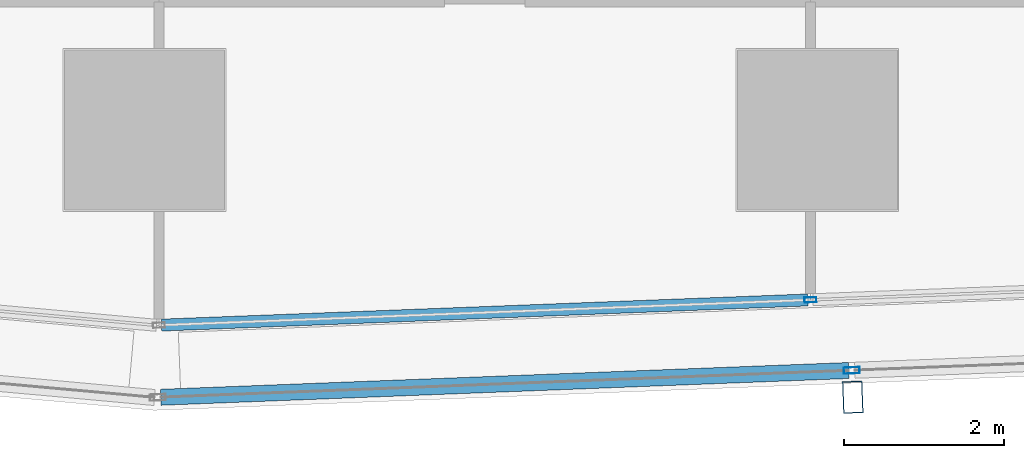
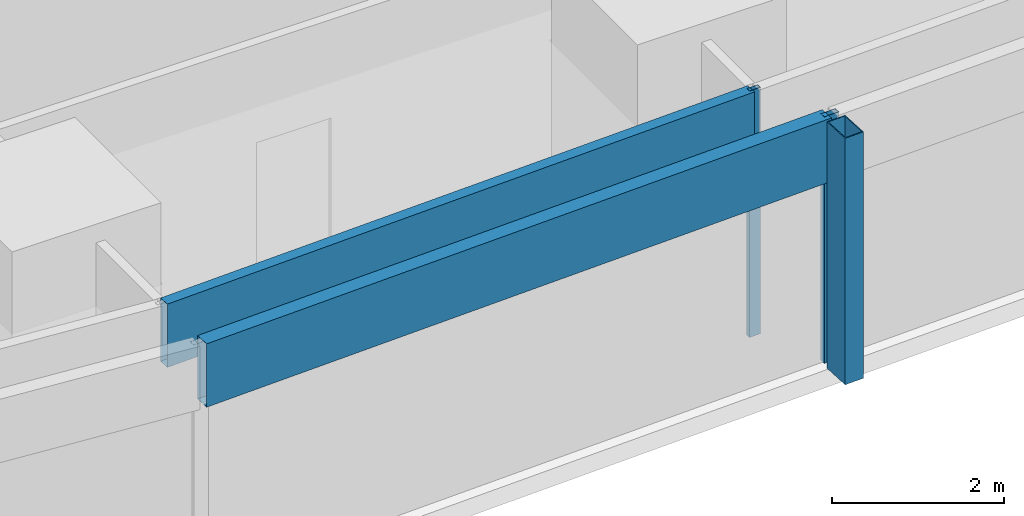
# One storey, part 6 of 39: 5 members, 2 elements without a shape of their own.
"""IFC4 building model written with IfcOpenShell, lengths in metres."""

from ifc_helpers import new_model, si_unit, direction, frame, origin, origin_2d, place, context, subcontext, project, spatial, hollow_rectangle, extrude, material, material_profile, profile_set, type_object, element, aggregate, save


model = new_model("IFC4")

# Units and contexts
model_context = context("Model", 3, precision=1e-05, world=origin(), true_north=direction((0.0, 1.0)))
body_context = subcontext(model_context, "Body", "Model", "MODEL_VIEW")
ifc_project = project(units=[si_unit("LENGTHUNIT", "METRE"), si_unit("AREAUNIT", "SQUARE_METRE"), si_unit("VOLUMEUNIT", "CUBIC_METRE"), si_unit("PLANEANGLEUNIT", "RADIAN"), si_unit("MASSUNIT", "GRAM", prefix="KILO")], contexts=[model_context])

# Site, building, storey
site_placement = place(None, origin())
site = spatial("IfcSite", under=ifc_project, at=site_placement, CompositionType="ELEMENT")
building_placement = place(site_placement, origin())
building = spatial("IfcBuilding", under=site, at=building_placement, Name="Rekha Terrace Tower", CompositionType="ELEMENT")
storey_placement = place(building_placement, frame((0.0, 0.0, 147.800048828125)))
storey = spatial("IfcBuildingStorey", under=building, at=storey_placement, Name="L37", CompositionType="ELEMENT", Elevation=147.800048828125)

# Curtain wall, member
ifc_material_1 = material(Name="Aluminium framing", Category="aluminium")
curtain_wall_type_1 = type_object("IfcCurtainWallType", Name="CW2 double skin outer glazing", PredefinedType="USERDEFINED", material=ifc_material_1)
curtain_wall_1_placement = place(storey_placement, origin())
curtain_wall_1 = element("IfcCurtainWall", 1, at=curtain_wall_1_placement, inside=storey, type_object=curtain_wall_type_1, Name="CW2 double skin outer glazing", ObjectType="DOUBLE SKIN OUTER GLAZING", PredefinedType="USERDEFINED")
ifc_material_2 = material(Name="Steel S355 with fluorocarbon finish", Category="steel")
ifc_material_profile_1 = material_profile(ifc_material_2, hollow_rectangle(XDim=0.25, YDim=0.39990234375, WallThickness=0.012451171875, at=origin_2d()), Name="RHS400x250x12.5")
ifc_profile_set_1 = profile_set([ifc_material_profile_1], Name="Steel S355 with fluorocarbon finish")
member_type_1 = type_object("IfcMemberType", Name="BL1 facade blade RHS 400 x 250", PredefinedType="USERDEFINED", material=ifc_profile_set_1)
member_1_placement = place(storey_placement, frame((34.042236328125, 13.46435546875, 0.0), z_axis=(0.0, 0.0, 1.0), x_axis=(0.999243494356, 0.038890088543, 0.0)))
member_1 = element("IfcMember", 2, at=member_1_placement, type_object=member_type_1, Name="Facade blade", ObjectType="FACADE BLADE", PredefinedType="USERDEFINED", context=body_context, shape_type="SweptSolid", body=[
    extrude(hollow_rectangle(XDim=0.25, YDim=0.39990234375, WallThickness=0.012451171875, at=origin_2d()), origin(), (0.0, 0.0, 1.0), 3.5),
])

# Curtain wall, members
curtain_wall_type_2 = type_object("IfcCurtainWallType", Name="CW1 double skin inner glazing", PredefinedType="USERDEFINED", material=ifc_material_1)
curtain_wall_2_placement = place(storey_placement, origin())
curtain_wall_2 = element("IfcCurtainWall", 3, at=curtain_wall_2_placement, inside=storey, type_object=curtain_wall_type_2, Name="CW1 double skin inner glazing", ObjectType="DOUBLE SKIN INNER GLAZING", PredefinedType="USERDEFINED")
ifc_material_3 = material(Name="Aluminium mullion section", Category="aluminium")
ifc_material_profile_2 = material_profile(ifc_material_3, hollow_rectangle(XDim=0.06494140625, YDim=0.14990234375, WallThickness=0.00390625, at=origin_2d()), Name="AL RHS 65x150")
ifc_profile_set_2 = profile_set([ifc_material_profile_2], Name="Aluminium mullion section")
member_type_2 = type_object("IfcMemberType", Name="CW1 mullion RHS 65 x 150", PredefinedType="MULLION", material=ifc_profile_set_2)
member_2_placement = place(storey_placement, frame((33.51318359375, 14.6796875, 0.0), z_axis=(0.0, 0.0, 1.0), x_axis=(-0.038889971328, 0.999243498918, 0.0)))
member_2 = element("IfcMember", 4, at=member_2_placement, type_object=member_type_2, Name="CW1 mullion 2", PredefinedType="MULLION", context=body_context, shape_type="SweptSolid", body=[
    extrude(hollow_rectangle(XDim=0.06494140625, YDim=0.14990234375, WallThickness=0.00390625, at=origin_2d()), origin(), (0.0, 0.0, 1.0), 3.5),
])
ifc_material_4 = material(Name="Insulated aluminium spandrel box", Category="aluminium")
ifc_material_profile_3 = material_profile(ifc_material_4, hollow_rectangle(XDim=0.14990234375, YDim=0.89990234375, WallThickness=0.0029296875, at=origin_2d()), Name="AL SPANDREL BOX 150x900")
ifc_profile_set_3 = profile_set([ifc_material_profile_3], Name="Insulated aluminium spandrel box")
member_type_3 = type_object("IfcMemberType", Name="CW1 spandrel transom 150 x 900", PredefinedType="USERDEFINED", material=ifc_profile_set_3)
member_3_placement = place(storey_placement, frame((25.412353515625, 14.364501953125, 3.050048828125), z_axis=(0.999243744226, 0.038883667849, 0.0), x_axis=(-0.038883667849, 0.999243744226, 0.0)))
member_3 = element("IfcMember", 5, at=member_3_placement, type_object=member_type_3, Name="CW1 spandrel transom 1", ObjectType="TRANSOM", PredefinedType="USERDEFINED", context=body_context, shape_type="SweptSolid", body=[
    extrude(hollow_rectangle(XDim=0.14990234375, YDim=0.89990234375, WallThickness=0.0029296875, at=origin_2d()), origin(), (0.0, 0.0, 1.0), 8.074462890625),
])
aggregate(curtain_wall_2, [member_2, member_3])

# Member
ifc_material_profile_4 = material_profile(ifc_material_3, hollow_rectangle(XDim=0.080078125, YDim=0.199951171875, WallThickness=0.00390625, at=origin_2d()), Name="AL RHS 80x200")
ifc_profile_set_4 = profile_set([ifc_material_profile_4], Name="Aluminium mullion section")
member_type_4 = type_object("IfcMemberType", Name="CW2 mullion RHS 80 x 200", PredefinedType="MULLION", material=ifc_profile_set_4)
member_4_placement = place(storey_placement, frame((34.029052734375, 13.799072265625, 0.0), z_axis=(0.0, 0.0, 1.0), x_axis=(-0.038889971345, 0.999243498917, 0.0)))
member_4 = element("IfcMember", 6, at=member_4_placement, type_object=member_type_4, Name="CW2 mullion 2", PredefinedType="MULLION", context=body_context, shape_type="SweptSolid", body=[
    extrude(hollow_rectangle(XDim=0.080078125, YDim=0.199951171875, WallThickness=0.00390625, at=origin_2d()), origin(), (0.0, 0.0, 1.0), 3.5),
])

ifc_material_profile_5 = material_profile(ifc_material_4, hollow_rectangle(XDim=0.199951171875, YDim=0.89990234375, WallThickness=0.0029296875, at=origin_2d()), Name="AL SPANDREL BOX 200x900")
ifc_profile_set_5 = profile_set([ifc_material_profile_5], Name="Insulated aluminium spandrel box")
member_type_5 = type_object("IfcMemberType", Name="CW2 spandrel transom 200 x 900", PredefinedType="USERDEFINED", material=ifc_profile_set_5)
member_5_placement = place(storey_placement, frame((25.404052734375, 13.46337890625, 3.050048828125), z_axis=(0.999243058466, 0.038901286707, 0.0), x_axis=(-0.038901286707, 0.999243058466, 0.0)))
member_5 = element("IfcMember", 7, at=member_5_placement, type_object=member_type_5, Name="CW2 spandrel transom 1", ObjectType="TRANSOM", PredefinedType="USERDEFINED", context=body_context, shape_type="SweptSolid", body=[
    extrude(hollow_rectangle(XDim=0.199951171875, YDim=0.89990234375, WallThickness=0.0029296875, at=origin_2d()), origin(), (0.0, 0.0, 1.0), 8.591796875),
])

aggregate(curtain_wall_1, [member_4, member_5, member_1])

save(model, "model.ifc")
